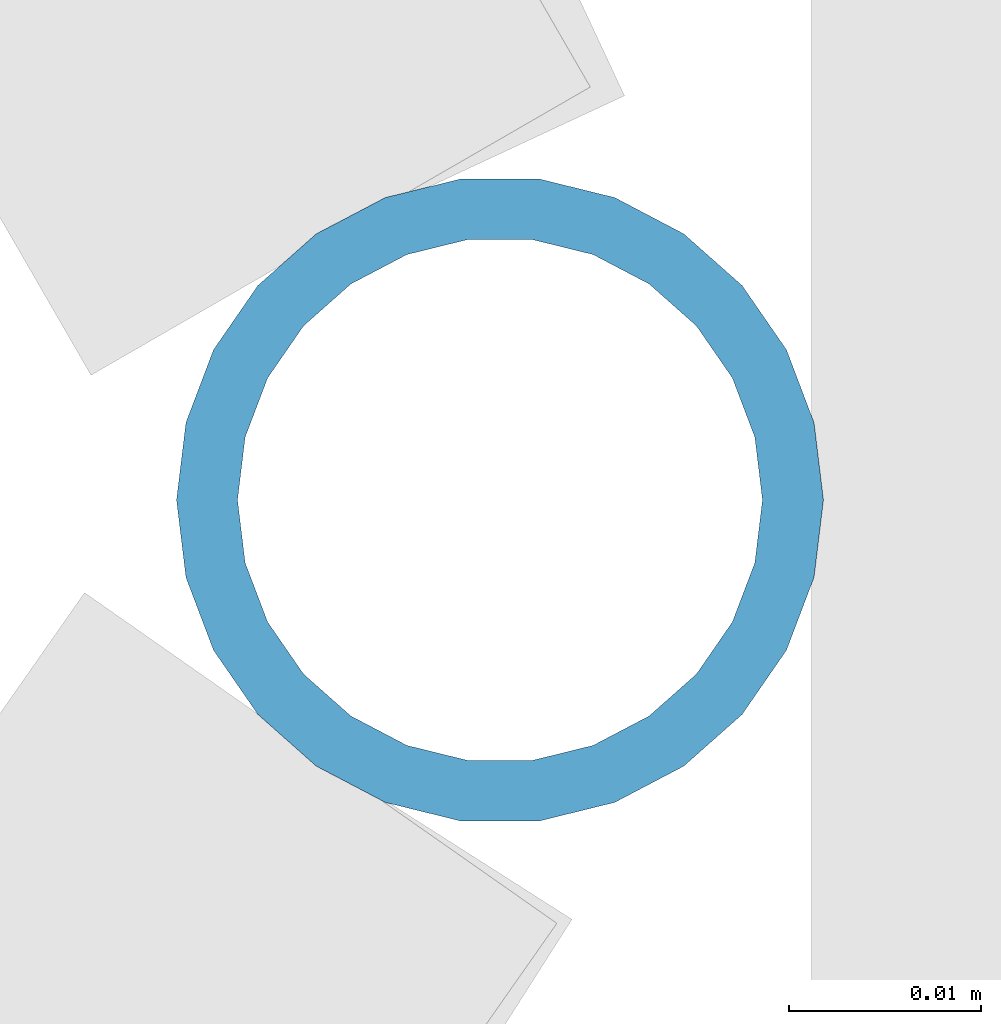
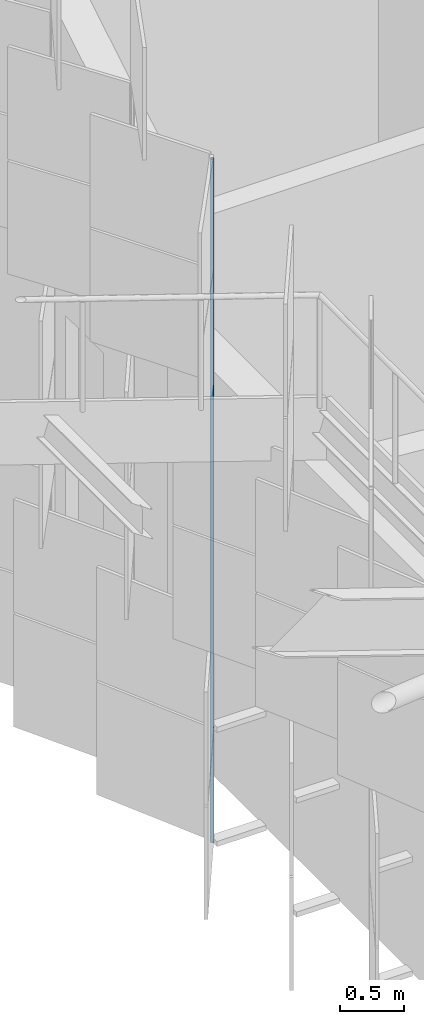
# One storey, part 190 of 483: 1 discrete accessory.
"""IFC4 building model written with IfcOpenShell, lengths in metres."""

from ifc_helpers import new_model, si_unit, direction, frame, origin, origin_2d, place, context, subcontext, project, spatial, hollow_circle, extrude, material, material_profile, profile_set, type_object, element, save


model = new_model("IFC4")

# Units and contexts
model_context = context("Model", 3, precision=1e-05, world=origin(), true_north=direction((0.0, 1.0)))
body_context = subcontext(model_context, "Body", "Model", "MODEL_VIEW")
ifc_project = project(units=[si_unit("LENGTHUNIT", "METRE"), si_unit("AREAUNIT", "SQUARE_METRE"), si_unit("VOLUMEUNIT", "CUBIC_METRE"), si_unit("PLANEANGLEUNIT", "RADIAN"), si_unit("MASSUNIT", "GRAM", prefix="KILO")], contexts=[model_context])

# Site, building, storey
site_placement = place(None, origin())
site = spatial("IfcSite", under=ifc_project, at=site_placement, CompositionType="ELEMENT")
building_placement = place(site_placement, origin())
building = spatial("IfcBuilding", under=site, at=building_placement, Name="Parallax Yard Mobility Hub", CompositionType="ELEMENT")
storey_placement = place(building_placement, frame((0.0, 0.0, 13.199951171875)))
storey = spatial("IfcBuildingStorey", under=building, at=storey_placement, Name="L04", CompositionType="ELEMENT", Elevation=13.199951171875)

# Discrete accessory
ifc_material = material(Name="Steel ASTM A500 Gr C, hot-dip galvanised", Category="steel")
ifc_material_profile = material_profile(ifc_material, hollow_circle(Radius=0.016845703125, WallThickness=0.003173828125, at=origin_2d()), Name="CHS 33.7x3.2")
ifc_profile_set = profile_set([ifc_material_profile], Name="Steel ASTM A500 Gr C, hot-dip galvanised")
discrete_accessory_type = type_object("IfcDiscreteAccessoryType", Name="Hinge post CHS 33.7x3.2", PredefinedType="BRACKET", material=ifc_profile_set)
discrete_accessory_placement = place(storey_placement, frame((194.537353515625, 78.497802734375, 0.0), z_axis=(0.0, 0.0, 1.0), x_axis=(1.0, 0.0, 0.0)))
element("IfcDiscreteAccessory", 1, at=discrete_accessory_placement, inside=storey, type_object=discrete_accessory_type, Name="Hinge post bay 23.11 level L04", PredefinedType="BRACKET", context=body_context, shape_type="SweptSolid", body=[
    extrude(hollow_circle(Radius=0.016845703125, WallThickness=0.003173828125, at=origin_2d()), origin(), (0.0, 0.0, 1.0), 6.550048828125),
])

save(model, "model.ifc")
